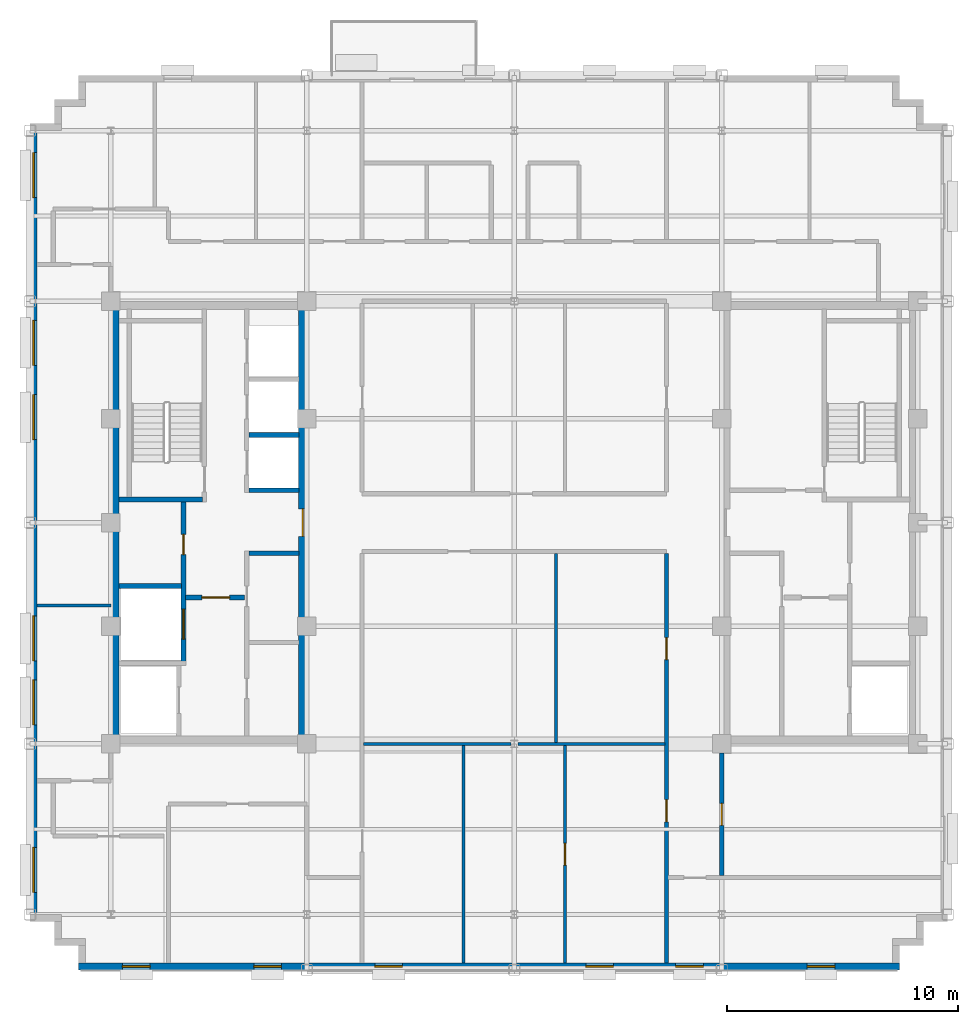
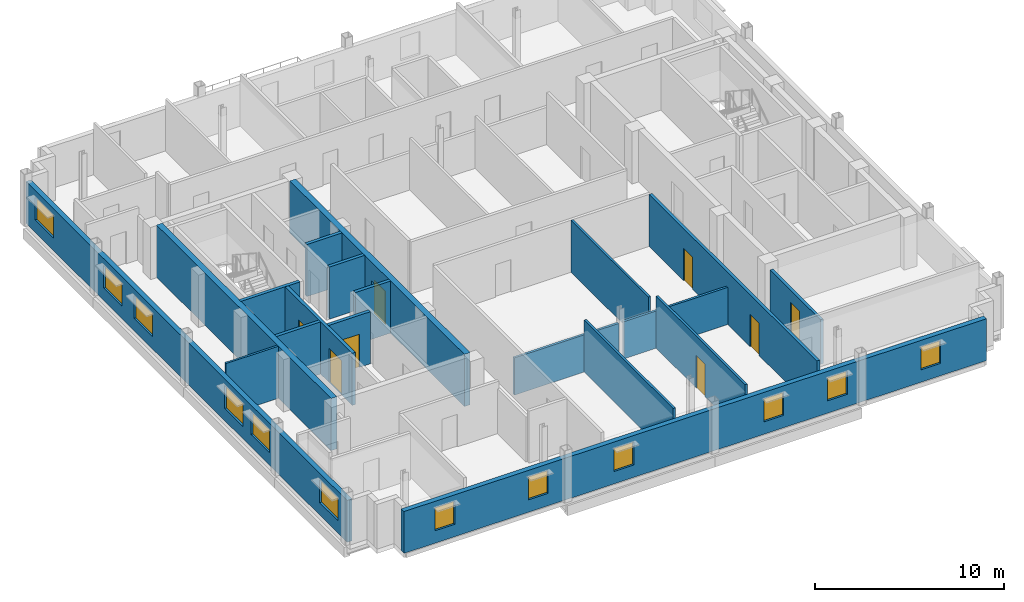
# One storey, part 6 of 14: 19 walls, 12 windows, 8 doors, 20 openings.
"""IFC4 building model written with IfcOpenShell, lengths in metres."""

from ifc_helpers import new_model, si_unit, direction, frame, frame_2d, origin, place, context, subcontext, project, spatial, rectangle, extrude, source, transform, mapped, material, layer, layer_set, type_object, type_shapes, element, fill, save


model = new_model("IFC4")

# Units and contexts
model_context = context("Model", 3, precision=1e-05, world=origin(), true_north=direction((0.0, 1.0)))
body_context = subcontext(model_context, "Body", "Model", "MODEL_VIEW")
ifc_project = project(units=[si_unit("LENGTHUNIT", "METRE"), si_unit("AREAUNIT", "SQUARE_METRE"), si_unit("VOLUMEUNIT", "CUBIC_METRE"), si_unit("PLANEANGLEUNIT", "RADIAN"), si_unit("MASSUNIT", "GRAM", prefix="KILO")], contexts=[model_context])

# Site, building, storey
site_placement = place(None, origin())
site = spatial("IfcSite", under=ifc_project, at=site_placement, CompositionType="ELEMENT")
building_placement = place(site_placement, origin())
building = spatial("IfcBuilding", under=site, at=building_placement, Name="Nuvemarco Arch Tower", CompositionType="ELEMENT")
storey_placement = place(building_placement, frame((0.0, 0.0, 272.550048828125)))
storey = spatial("IfcBuildingStorey", under=building, at=storey_placement, Name="L72", CompositionType="ELEMENT", Elevation=272.550048828125)

# Wall, openings, windows
ifc_material_1 = material(Name="Precast concrete C45/55", Category="concrete")
ifc_layer_1 = layer(ifc_material_1, 0.300048828125, Name="EW-HIGH-300")
ifc_layer_set_1 = layer_set([ifc_layer_1], Name="Precast concrete C45/55")
wall_type_1 = type_object("IfcWallType", Name="EW-HIGH-300", PredefinedType="STANDARD", material=ifc_layer_set_1)
wall_1_placement = place(storey_placement, frame((-18.89990234375, -19.25, 0.0), z_axis=(0.0, 0.0, 1.0), x_axis=(1.0, 0.0, 0.0)))
wall_1 = element("IfcWall", 1, at=wall_1_placement, inside=storey, type_object=wall_type_1, Name="L72 exterior precast facade wall 1", PredefinedType="STANDARD", context=body_context, shape_type="SweptSolid", body=[
    extrude(rectangle(XDim=35.599853515625, YDim=0.300048828125, at=frame_2d((17.7998046875, 0.0))), origin(), (0.0, 0.0, 1.0), 2.704833984375),
])
opening_1_placement = place(wall_1_placement, frame((1.89990234375, 0.0, 0.800048828125)))
opening_1 = element("IfcOpeningElement", 2, at=opening_1_placement, cuts=wall_1, Name="Opening WN-8", PredefinedType="OPENING", context=body_context, shape_type="SweptSolid", body=[
    extrude(rectangle(XDim=1.199951171875, YDim=1.47998046875, at=frame_2d((0.60009765625, 0.739990234375))), frame((0.0, 0.159912109375, 0.0), z_axis=(0.0, -1.0, 0.0), x_axis=(1.0, 0.0, 0.0)), (0.0, 0.0, 1.0), 0.320068359375),
])
opening_2_placement = place(wall_1_placement, frame((7.60009765625, 0.0, 0.800048828125)))
opening_2 = element("IfcOpeningElement", 3, at=opening_2_placement, cuts=wall_1, Name="Opening WN-8", PredefinedType="OPENING", context=body_context, shape_type="SweptSolid", body=[
    extrude(rectangle(XDim=1.199951171875, YDim=1.47998046875, at=frame_2d((0.60009765625, 0.739990234375))), frame((0.0, 0.159912109375, 0.0), z_axis=(0.0, -1.0, 0.0), x_axis=(1.0, 0.0, 0.0)), (0.0, 0.0, 1.0), 0.320068359375),
])
opening_3_placement = place(wall_1_placement, frame((12.85009765625, 0.0, 0.800048828125)))
opening_3 = element("IfcOpeningElement", 4, at=opening_3_placement, cuts=wall_1, Name="Opening WN-8", PredefinedType="OPENING", context=body_context, shape_type="SweptSolid", body=[
    extrude(rectangle(XDim=1.199951171875, YDim=1.47998046875, at=frame_2d((0.60009765625, 0.739990234375))), frame((0.0, 0.159912109375, 0.0), z_axis=(0.0, -1.0, 0.0), x_axis=(1.0, 0.0, 0.0)), (0.0, 0.0, 1.0), 0.320068359375),
])
opening_4_placement = place(wall_1_placement, frame((22.0, 0.0, 0.800048828125)))
opening_4 = element("IfcOpeningElement", 5, at=opening_4_placement, cuts=wall_1, Name="Opening WN-8", PredefinedType="OPENING", context=body_context, shape_type="SweptSolid", body=[
    extrude(rectangle(XDim=1.199951171875, YDim=1.47998046875, at=frame_2d((0.60009765625, 0.739990234375))), frame((0.0, 0.159912109375, 0.0), z_axis=(0.0, -1.0, 0.0), x_axis=(1.0, 0.0, 0.0)), (0.0, 0.0, 1.0), 0.320068359375),
])
opening_5_placement = place(wall_1_placement, frame((25.89990234375, 0.0, 0.800048828125)))
opening_5 = element("IfcOpeningElement", 6, at=opening_5_placement, cuts=wall_1, Name="Opening WN-8", PredefinedType="OPENING", context=body_context, shape_type="SweptSolid", body=[
    extrude(rectangle(XDim=1.199951171875, YDim=1.47998046875, at=frame_2d((0.60009765625, 0.739990234375))), frame((0.0, 0.159912109375, 0.0), z_axis=(0.0, -1.0, 0.0), x_axis=(1.0, 0.0, 0.0)), (0.0, 0.0, 1.0), 0.320068359375),
])
opening_6_placement = place(wall_1_placement, frame((31.60009765625, 0.0, 0.800048828125)))
opening_6 = element("IfcOpeningElement", 7, at=opening_6_placement, cuts=wall_1, Name="Opening WN-8", PredefinedType="OPENING", context=body_context, shape_type="SweptSolid", body=[
    extrude(rectangle(XDim=1.199951171875, YDim=1.47998046875, at=frame_2d((0.60009765625, 0.739990234375))), frame((0.0, 0.159912109375, 0.0), z_axis=(0.0, -1.0, 0.0), x_axis=(1.0, 0.0, 0.0)), (0.0, 0.0, 1.0), 0.320068359375),
])
ifc_material_2 = material(Name="Insulated solar-control glass", Category="glass")
window_type_1 = type_object("IfcWindowType", Name="WN-HIGH-1200x1480", PartitioningType="SINGLE_PANEL", PredefinedType="WINDOW", material=ifc_material_2)
shared_shape_1 = source(origin(), body_context, "Body", "SweptSolid", [
    extrude(rectangle(XDim=1.199951171875, YDim=1.47998046875, at=frame_2d((0.60009765625, 0.739990234375))), frame((0.0, 0.030029296875, 0.0), z_axis=(0.0, -1.0, 0.0), x_axis=(1.0, 0.0, 0.0)), (0.0, 0.0, 1.0), 0.06005859375),
])
type_shapes(window_type_1, [shared_shape_1])
window_1_placement = place(opening_1_placement, origin())
window_1 = element("IfcWindow", 8, at=window_1_placement, inside=storey, type_object=window_type_1, Name="L72 punched facade window 1", OverallHeight=1.47998046875, OverallWidth=1.199951171875, PartitioningType="SINGLE_PANEL", PredefinedType="WINDOW", context=body_context, shape_type="MappedRepresentation", body=[
    mapped(shared_shape_1, transform((0.0, 0.0, 0.0), scale=1.0)),
])
fill(opening_1, window_1)
window_2_placement = place(opening_2_placement, origin())
window_2 = element("IfcWindow", 9, at=window_2_placement, inside=storey, type_object=window_type_1, Name="L72 punched facade window 2", OverallHeight=1.47998046875, OverallWidth=1.199951171875, PartitioningType="SINGLE_PANEL", PredefinedType="WINDOW", context=body_context, shape_type="MappedRepresentation", body=[
    mapped(shared_shape_1, transform((0.0, 0.0, 0.0), scale=1.0)),
])
fill(opening_2, window_2)
window_3_placement = place(opening_3_placement, origin())
window_3 = element("IfcWindow", 10, at=window_3_placement, inside=storey, type_object=window_type_1, Name="L72 punched facade window 3", OverallHeight=1.47998046875, OverallWidth=1.199951171875, PartitioningType="SINGLE_PANEL", PredefinedType="WINDOW", context=body_context, shape_type="MappedRepresentation", body=[
    mapped(shared_shape_1, transform((0.0, 0.0, 0.0), scale=1.0)),
])
fill(opening_3, window_3)
window_4_placement = place(opening_4_placement, origin())
window_4 = element("IfcWindow", 11, at=window_4_placement, inside=storey, type_object=window_type_1, Name="L72 punched facade window 5", OverallHeight=1.47998046875, OverallWidth=1.199951171875, PartitioningType="SINGLE_PANEL", PredefinedType="WINDOW", context=body_context, shape_type="MappedRepresentation", body=[
    mapped(shared_shape_1, transform((0.0, 0.0, 0.0), scale=1.0)),
])
fill(opening_4, window_4)
window_5_placement = place(opening_5_placement, origin())
window_5 = element("IfcWindow", 12, at=window_5_placement, inside=storey, type_object=window_type_1, Name="L72 punched facade window 6", OverallHeight=1.47998046875, OverallWidth=1.199951171875, PartitioningType="SINGLE_PANEL", PredefinedType="WINDOW", context=body_context, shape_type="MappedRepresentation", body=[
    mapped(shared_shape_1, transform((0.0, 0.0, 0.0), scale=1.0)),
])
fill(opening_5, window_5)
window_6_placement = place(opening_6_placement, origin())
window_6 = element("IfcWindow", 13, at=window_6_placement, inside=storey, type_object=window_type_1, Name="L72 punched facade window 7", OverallHeight=1.47998046875, OverallWidth=1.199951171875, PartitioningType="SINGLE_PANEL", PredefinedType="WINDOW", context=body_context, shape_type="MappedRepresentation", body=[
    mapped(shared_shape_1, transform((0.0, 0.0, 0.0), scale=1.0)),
])
fill(opening_6, window_6)

wall_2_placement = place(storey_placement, frame((-20.85009765625, -17.00390625, 0.0), z_axis=(0.0, 0.0, 1.0), x_axis=(0.0, 1.0, 0.0)))
wall_2 = element("IfcWall", 14, at=wall_2_placement, inside=storey, type_object=wall_type_1, Name="L72 exterior precast facade wall 16", PredefinedType="STANDARD", context=body_context, shape_type="SweptSolid", body=[
    extrude(rectangle(XDim=34.0078125, YDim=0.300048828125, at=frame_2d((17.00390625, 0.0))), origin(), (0.0, 0.0, 1.0), 2.704833984375),
])
opening_7_placement = place(wall_2_placement, frame((0.961181640625, 0.0, 0.800048828125)))
opening_7 = element("IfcOpeningElement", 15, at=opening_7_placement, cuts=wall_2, Name="Opening WN-7", PredefinedType="OPENING", context=body_context, shape_type="SweptSolid", body=[
    extrude(rectangle(XDim=1.949951171875, YDim=1.47998046875, at=frame_2d((0.97509765625, 0.739990234375))), frame((0.0, 0.159912109375, 0.0), z_axis=(0.0, -1.0, 0.0), x_axis=(1.0, 0.0, 0.0)), (0.0, 0.0, 1.0), 0.320068359375),
])
opening_8_placement = place(wall_2_placement, frame((8.23388671875, 0.0, 0.800048828125)))
opening_8 = element("IfcOpeningElement", 16, at=opening_8_placement, cuts=wall_2, Name="Opening WN-7", PredefinedType="OPENING", context=body_context, shape_type="SweptSolid", body=[
    extrude(rectangle(XDim=1.949951171875, YDim=1.47998046875, at=frame_2d((0.97509765625, 0.739990234375))), frame((0.0, 0.159912109375, 0.0), z_axis=(0.0, -1.0, 0.0), x_axis=(1.0, 0.0, 0.0)), (0.0, 0.0, 1.0), 0.320068359375),
])
opening_9_placement = place(wall_2_placement, frame((11.00634765625, 0.0, 0.800048828125)))
opening_9 = element("IfcOpeningElement", 17, at=opening_9_placement, cuts=wall_2, Name="Opening WN-7", PredefinedType="OPENING", context=body_context, shape_type="SweptSolid", body=[
    extrude(rectangle(XDim=1.949951171875, YDim=1.47998046875, at=frame_2d((0.97509765625, 0.739990234375))), frame((0.0, 0.159912109375, 0.0), z_axis=(0.0, -1.0, 0.0), x_axis=(1.0, 0.0, 0.0)), (0.0, 0.0, 1.0), 0.320068359375),
])
opening_10_placement = place(wall_2_placement, frame((20.6015625, 0.0, 0.800048828125)))
opening_10 = element("IfcOpeningElement", 18, at=opening_10_placement, cuts=wall_2, Name="Opening WN-7", PredefinedType="OPENING", context=body_context, shape_type="SweptSolid", body=[
    extrude(rectangle(XDim=1.949951171875, YDim=1.47998046875, at=frame_2d((0.97509765625, 0.739990234375))), frame((0.0, 0.159912109375, 0.0), z_axis=(0.0, -1.0, 0.0), x_axis=(1.0, 0.0, 0.0)), (0.0, 0.0, 1.0), 0.320068359375),
])
opening_11_placement = place(wall_2_placement, frame((23.82421875, 0.0, 0.800048828125)))
opening_11 = element("IfcOpeningElement", 19, at=opening_11_placement, cuts=wall_2, Name="Opening WN-7", PredefinedType="OPENING", context=body_context, shape_type="SweptSolid", body=[
    extrude(rectangle(XDim=1.949951171875, YDim=1.47998046875, at=frame_2d((0.97509765625, 0.739990234375))), frame((0.0, 0.159912109375, 0.0), z_axis=(0.0, -1.0, 0.0), x_axis=(1.0, 0.0, 0.0)), (0.0, 0.0, 1.0), 0.320068359375),
])
opening_12_placement = place(wall_2_placement, frame((31.0966796875, 0.0, 0.800048828125)))
opening_12 = element("IfcOpeningElement", 20, at=opening_12_placement, cuts=wall_2, Name="Opening WN-7", PredefinedType="OPENING", context=body_context, shape_type="SweptSolid", body=[
    extrude(rectangle(XDim=1.949951171875, YDim=1.47998046875, at=frame_2d((0.97509765625, 0.739990234375))), frame((0.0, 0.159912109375, 0.0), z_axis=(0.0, -1.0, 0.0), x_axis=(1.0, 0.0, 0.0)), (0.0, 0.0, 1.0), 0.320068359375),
])
window_type_2 = type_object("IfcWindowType", Name="WN-HIGH-1950x1480", PartitioningType="DOUBLE_PANEL_VERTICAL", PredefinedType="WINDOW", material=ifc_material_2)
shared_shape_2 = source(origin(), body_context, "Body", "SweptSolid", [
    extrude(rectangle(XDim=1.949951171875, YDim=1.47998046875, at=frame_2d((0.97509765625, 0.739990234375))), frame((0.0, 0.030029296875, 0.0), z_axis=(0.0, -1.0, 0.0), x_axis=(1.0, 0.0, 0.0)), (0.0, 0.0, 1.0), 0.06005859375),
])
type_shapes(window_type_2, [shared_shape_2])
window_7_placement = place(opening_7_placement, origin())
window_7 = element("IfcWindow", 21, at=window_7_placement, inside=storey, type_object=window_type_2, Name="L72 punched facade window 1", OverallHeight=1.47998046875, OverallWidth=1.949951171875, PartitioningType="SINGLE_PANEL", PredefinedType="WINDOW", context=body_context, shape_type="MappedRepresentation", body=[
    mapped(shared_shape_2, transform((0.0, 0.0, 0.0), scale=1.0)),
])
fill(opening_7, window_7)
window_8_placement = place(opening_8_placement, origin())
window_8 = element("IfcWindow", 22, at=window_8_placement, inside=storey, type_object=window_type_2, Name="L72 punched facade window 2", OverallHeight=1.47998046875, OverallWidth=1.949951171875, PartitioningType="SINGLE_PANEL", PredefinedType="WINDOW", context=body_context, shape_type="MappedRepresentation", body=[
    mapped(shared_shape_2, transform((0.0, 0.0, 0.0), scale=1.0)),
])
fill(opening_8, window_8)
window_9_placement = place(opening_9_placement, origin())
window_9 = element("IfcWindow", 23, at=window_9_placement, inside=storey, type_object=window_type_2, Name="L72 punched facade window 3", OverallHeight=1.47998046875, OverallWidth=1.949951171875, PartitioningType="SINGLE_PANEL", PredefinedType="WINDOW", context=body_context, shape_type="MappedRepresentation", body=[
    mapped(shared_shape_2, transform((0.0, 0.0, 0.0), scale=1.0)),
])
fill(opening_9, window_9)
window_10_placement = place(opening_10_placement, origin())
window_10 = element("IfcWindow", 24, at=window_10_placement, inside=storey, type_object=window_type_2, Name="L72 punched facade window 5", OverallHeight=1.47998046875, OverallWidth=1.949951171875, PartitioningType="SINGLE_PANEL", PredefinedType="WINDOW", context=body_context, shape_type="MappedRepresentation", body=[
    mapped(shared_shape_2, transform((0.0, 0.0, 0.0), scale=1.0)),
])
fill(opening_10, window_10)
window_11_placement = place(opening_11_placement, origin())
window_11 = element("IfcWindow", 25, at=window_11_placement, inside=storey, type_object=window_type_2, Name="L72 punched facade window 6", OverallHeight=1.47998046875, OverallWidth=1.949951171875, PartitioningType="SINGLE_PANEL", PredefinedType="WINDOW", context=body_context, shape_type="MappedRepresentation", body=[
    mapped(shared_shape_2, transform((0.0, 0.0, 0.0), scale=1.0)),
])
fill(opening_11, window_11)
window_12_placement = place(opening_12_placement, origin())
window_12 = element("IfcWindow", 26, at=window_12_placement, inside=storey, type_object=window_type_2, Name="L72 punched facade window 7", OverallHeight=1.47998046875, OverallWidth=1.949951171875, PartitioningType="SINGLE_PANEL", PredefinedType="WINDOW", context=body_context, shape_type="MappedRepresentation", body=[
    mapped(shared_shape_2, transform((0.0, 0.0, 0.0), scale=1.0)),
])
fill(opening_12, window_12)

# Wall
ifc_material_3 = material(Name="Concrete C50/60", Category="concrete")
ifc_layer_2 = layer(ifc_material_3, 0.35009765625, Name="WL-CORE-350")
ifc_layer_set_2 = layer_set([ifc_layer_2], Name="Concrete C50/60")
wall_type_2 = type_object("IfcWallType", Name="WL-CORE-350", PredefinedType="SHEAR", material=ifc_layer_set_2)
wall_3_placement = place(storey_placement, frame((-17.324951171875, -9.2548828125, 0.0), z_axis=(0.0, 0.0, 1.0), x_axis=(0.0, 1.0, 0.0)))
element("IfcWall", 27, at=wall_3_placement, inside=storey, type_object=wall_type_2, Name="L72 W-core shear wall W", PredefinedType="SHEAR", context=body_context, shape_type="SweptSolid", body=[
    extrude(rectangle(XDim=18.509765625, YDim=0.35009765625, at=frame_2d((9.2548828125, 0.0))), origin(), (0.0, 0.0, 1.0), 3.369873046875),
])

# Wall, opening, door
wall_4_placement = place(storey_placement, frame((-9.175048828125, -9.2548828125, 0.0), z_axis=(0.0, 0.0, 1.0), x_axis=(0.0, 1.0, 0.0)))
wall_4 = element("IfcWall", 28, at=wall_4_placement, inside=storey, type_object=wall_type_2, Name="L72 W-core shear wall E", PredefinedType="SHEAR", context=body_context, shape_type="SweptSolid", body=[
    extrude(rectangle(XDim=18.509765625, YDim=0.35009765625, at=frame_2d((9.2548828125, 0.0))), origin(), (0.0, 0.0, 1.0), 3.369873046875),
])
opening_13_placement = place(wall_4_placement, frame((8.655029296875, 0.0, 0.0)))
opening_13 = element("IfcOpeningElement", 29, at=opening_13_placement, cuts=wall_4, Name="Opening FD-2", PredefinedType="OPENING", context=body_context, shape_type="SweptSolid", body=[
    extrude(rectangle(XDim=1.199951171875, YDim=2.14990234375, at=frame_2d((0.60009765625, 1.074951171875))), frame((0.0, 0.18505859375, 0.0), z_axis=(0.0, -1.0, 0.0), x_axis=(1.0, 0.0, 0.0)), (0.0, 0.0, 1.0), 0.3701171875),
])
ifc_material_4 = material(Name="Anodised steel fire door", Category="steel")
door_type_1 = type_object("IfcDoorType", Name="DR-FFLOB-FD", OperationType="NOTDEFINED", PredefinedType="DOOR", material=ifc_material_4)
shared_shape_3 = source(origin(), body_context, "Body", "SweptSolid", [
    extrude(rectangle(XDim=1.199951171875, YDim=2.14990234375, at=frame_2d((0.60009765625, 1.074951171875))), frame((0.0, 0.02490234375, 0.0), z_axis=(0.0, -1.0, 0.0), x_axis=(1.0, 0.0, 0.0)), (0.0, 0.0, 1.0), 0.050048828125),
])
type_shapes(door_type_1, [shared_shape_3])
door_1_placement = place(opening_13_placement, origin())
door_1 = element("IfcDoor", 30, at=door_1_placement, inside=storey, type_object=door_type_1, Name="L72 door FD-L72-WCORE-E", OperationType="SINGLE_SWING_RIGHT", OverallHeight=2.14990234375, OverallWidth=1.199951171875, PredefinedType="DOOR", context=body_context, shape_type="MappedRepresentation", body=[
    mapped(shared_shape_3, transform((0.0, 0.0, 0.0), scale=1.0)),
])
fill(opening_13, door_1)

# Wall, openings, doors
ifc_material_5 = material(Name="Fire-rated gypsum drywall partition")
ifc_layer_3 = layer(ifc_material_5, 0.179931640625, Name="WL-CORR-180")
ifc_layer_set_3 = layer_set([ifc_layer_3], Name="Fire-rated gypsum drywall partition")
wall_type_3 = type_object("IfcWallType", Name="WL-CORR-180", PredefinedType="PARTITIONING", material=ifc_layer_set_3)
wall_5_placement = place(storey_placement, frame((6.60009765625, -19.10009765625, 0.0), z_axis=(0.0, 0.0, 1.0), x_axis=(0.0, 1.0, 0.0)))
wall_5 = element("IfcWall", 31, at=wall_5_placement, inside=storey, type_object=wall_type_3, Name="L72 interior wall IW-L72-039", PredefinedType="PARTITIONING", context=body_context, shape_type="SweptSolid", body=[
    extrude(rectangle(XDim=17.76416015625, YDim=0.179931640625, at=frame_2d((8.882080078125, 0.0))), origin(), (0.0, 0.0, 1.0), 3.35986328125),
])
opening_14_placement = place(wall_5_placement, frame((13.152099609375, 0.0, 0.0)))
opening_14 = element("IfcOpeningElement", 32, at=opening_14_placement, cuts=wall_5, Name="Opening FD-5", PredefinedType="OPENING", context=body_context, shape_type="SweptSolid", body=[
    extrude(rectangle(XDim=0.9599609375, YDim=2.10009765625, at=frame_2d((0.47998046875, 1.050048828125))), frame((0.0, 0.099853515625, 0.0), z_axis=(0.0, -1.0, 0.0), x_axis=(1.0, 0.0, 0.0)), (0.0, 0.0, 1.0), 0.199951171875),
])
opening_15_placement = place(wall_5_placement, frame((6.1201171875, 0.0, 0.0)))
opening_15 = element("IfcOpeningElement", 33, at=opening_15_placement, cuts=wall_5, Name="Opening FD-5", PredefinedType="OPENING", context=body_context, shape_type="SweptSolid", body=[
    extrude(rectangle(XDim=0.9599609375, YDim=2.10009765625, at=frame_2d((0.47998046875, 1.050048828125))), frame((0.0, 0.099853515625, 0.0), z_axis=(0.0, -1.0, 0.0), x_axis=(1.0, 0.0, 0.0)), (0.0, 0.0, 1.0), 0.199951171875),
])
ifc_material_6 = material(Name="Timber fire door", Category="wood")
door_type_2 = type_object("IfcDoorType", Name="DR-CORR-FD", OperationType="NOTDEFINED", PredefinedType="DOOR", material=ifc_material_6)
shared_shape_4 = source(origin(), body_context, "Body", "SweptSolid", [
    extrude(rectangle(XDim=0.9599609375, YDim=2.10009765625, at=frame_2d((0.47998046875, 1.050048828125))), frame((0.0, 0.02490234375, 0.0), z_axis=(0.0, -1.0, 0.0), x_axis=(1.0, 0.0, 0.0)), (0.0, 0.0, 1.0), 0.050048828125),
])
type_shapes(door_type_2, [shared_shape_4])
door_2_placement = place(opening_14_placement, origin())
door_2 = element("IfcDoor", 34, at=door_2_placement, inside=storey, type_object=door_type_2, Name="L72 door DR-L72-C_S2", OperationType="SINGLE_SWING_RIGHT", OverallHeight=2.10009765625, OverallWidth=0.9599609375, PredefinedType="DOOR", context=body_context, shape_type="MappedRepresentation", body=[
    mapped(shared_shape_4, transform((0.0, 0.0, 0.0), scale=1.0)),
])
fill(opening_14, door_2)
door_3_placement = place(opening_15_placement, origin())
door_3 = element("IfcDoor", 35, at=door_3_placement, inside=storey, type_object=door_type_2, Name="L72 door DR-L72-S_5", OperationType="SINGLE_SWING_RIGHT", OverallHeight=2.10009765625, OverallWidth=0.9599609375, PredefinedType="DOOR", context=body_context, shape_type="MappedRepresentation", body=[
    mapped(shared_shape_4, transform((0.0, 0.0, 0.0), scale=1.0)),
])
fill(opening_15, door_3)

# Wall, opening, door
wall_6_placement = place(storey_placement, frame((9.0, -15.31396484375, 0.0), z_axis=(0.0, 0.0, 1.0), x_axis=(0.0, 1.0, 0.0)))
wall_6 = element("IfcWall", 36, at=wall_6_placement, inside=storey, type_object=wall_type_3, Name="L72 interior wall IW-L72-042", PredefinedType="PARTITIONING", context=body_context, shape_type="SweptSolid", body=[
    extrude(rectangle(XDim=5.31787109375, YDim=0.179931640625, at=frame_2d((2.658935546875, 0.0))), origin(), (0.0, 0.0, 1.0), 2.891845703125),
])
opening_16_placement = place(wall_6_placement, frame((2.178955078125, 0.0, 0.0)))
opening_16 = element("IfcOpeningElement", 37, at=opening_16_placement, cuts=wall_6, Name="Opening FD-5", PredefinedType="OPENING", context=body_context, shape_type="SweptSolid", body=[
    extrude(rectangle(XDim=0.9599609375, YDim=2.10009765625, at=frame_2d((0.47998046875, 1.050048828125))), frame((0.0, 0.099853515625, 0.0), z_axis=(0.0, -1.0, 0.0), x_axis=(1.0, 0.0, 0.0)), (0.0, 0.0, 1.0), 0.199951171875),
])
door_4_placement = place(opening_16_placement, origin())
door_4 = element("IfcDoor", 38, at=door_4_placement, inside=storey, type_object=door_type_2, Name="L72 door DR-L72-S_6", OperationType="SINGLE_SWING_LEFT", OverallHeight=2.10009765625, OverallWidth=0.9599609375, PredefinedType="DOOR", context=body_context, shape_type="MappedRepresentation", body=[
    mapped(shared_shape_4, transform((0.0, 0.0, 0.0), scale=1.0)),
])
fill(opening_16, door_4)

# Walls
ifc_material_7 = material(Name="Glazed acoustic office partition")
ifc_layer_4 = layer(ifc_material_7, 0.1298828125, Name="WL-EXEC-130")
ifc_layer_set_4 = layer_set([ifc_layer_4], Name="Glazed acoustic office partition")
wall_type_4 = type_object("IfcWallType", Name="WL-EXEC-130", PredefinedType="PARTITIONING", material=ifc_layer_set_4)
wall_7_placement = place(storey_placement, frame((-20.699951171875, -3.60009765625, 0.0), z_axis=(0.0, 0.0, 1.0), x_axis=(1.0, 0.0, 0.0)))
element("IfcWall", 39, at=wall_7_placement, inside=storey, type_object=wall_type_4, Name="L72 interior wall IW-L72-008", PredefinedType="PARTITIONING", context=body_context, shape_type="SweptSolid", body=[
    extrude(rectangle(XDim=3.199951171875, YDim=0.1298828125, at=frame_2d((1.60009765625, 0.0))), origin(), (0.0, 0.0, 1.0), 3.35986328125),
])
wall_8_placement = place(storey_placement, frame((1.800048828125, -9.533935546875, 0.0), z_axis=(0.0, 0.0, 1.0), x_axis=(0.0, 1.0, 0.0)))
element("IfcWall", 40, at=wall_8_placement, inside=storey, type_object=wall_type_4, Name="L72 interior wall IW-L72-035", PredefinedType="PARTITIONING", context=body_context, shape_type="SweptSolid", body=[
    extrude(rectangle(XDim=8.197998046875, YDim=0.1298828125, at=frame_2d((4.09912109375, 0.0))), origin(), (0.0, 0.0, 1.0), 3.35986328125),
])
ifc_material_8 = material(Name="Gypsum plasterboard partition")
ifc_layer_5 = layer(ifc_material_8, 0.139892578125, Name="WL-ROOM-140")
ifc_layer_set_5 = layer_set([ifc_layer_5], Name="Gypsum plasterboard partition")
wall_type_5 = type_object("IfcWallType", Name="WL-ROOM-140", PredefinedType="PARTITIONING", material=ifc_layer_set_5)
wall_9_placement = place(storey_placement, frame((-6.533935546875, -9.60009765625, 0.0), z_axis=(0.0, 0.0, 1.0), x_axis=(1.0, 0.0, 0.0)))
element("IfcWall", 41, at=wall_9_placement, inside=storey, type_object=wall_type_5, Name="L72 interior wall IW-L72-006", PredefinedType="PARTITIONING", context=body_context, shape_type="SweptSolid", body=[
    extrude(rectangle(XDim=6.383056640625, YDim=0.139892578125, at=frame_2d((3.19140625, 0.0))), origin(), (0.0, 0.0, 1.0), 2.405029296875),
])
wall_10_placement = place(storey_placement, frame((0.15087890625, -9.60009765625, 0.0), z_axis=(0.0, 0.0, 1.0), x_axis=(1.0, 0.0, 0.0)))
element("IfcWall", 42, at=wall_10_placement, inside=storey, type_object=wall_type_5, Name="L72 interior wall IW-L72-007", PredefinedType="PARTITIONING", context=body_context, shape_type="SweptSolid", body=[
    extrude(rectangle(XDim=6.38818359375, YDim=0.139892578125, at=frame_2d((3.194091796875, 0.0))), origin(), (0.0, 0.0, 1.0), 2.405029296875),
])
wall_11_placement = place(storey_placement, frame((-2.199951171875, -19.10009765625, 0.0), z_axis=(0.0, 0.0, 1.0), x_axis=(0.0, 1.0, 0.0)))
element("IfcWall", 43, at=wall_11_placement, inside=storey, type_object=wall_type_5, Name="L72 interior wall IW-L72-031", PredefinedType="PARTITIONING", context=body_context, shape_type="SweptSolid", body=[
    extrude(rectangle(XDim=9.43408203125, YDim=0.139892578125, at=frame_2d((4.717041015625, 0.0))), origin(), (0.0, 0.0, 1.0), 3.35986328125),
])

# Wall, opening, door
wall_12_placement = place(storey_placement, frame((2.199951171875, -19.10009765625, 0.0), z_axis=(0.0, 0.0, 1.0), x_axis=(0.0, 1.0, 0.0)))
wall_12 = element("IfcWall", 44, at=wall_12_placement, inside=storey, type_object=wall_type_5, Name="L72 interior wall IW-L72-036", PredefinedType="PARTITIONING", context=body_context, shape_type="SweptSolid", body=[
    extrude(rectangle(XDim=9.43408203125, YDim=0.139892578125, at=frame_2d((4.717041015625, 0.0))), origin(), (0.0, 0.0, 1.0), 3.35986328125),
])
opening_17_placement = place(wall_12_placement, frame((4.2470703125, 0.0, 0.0)))
opening_17 = element("IfcOpeningElement", 45, at=opening_17_placement, cuts=wall_12, Name="Opening ID-1", PredefinedType="OPENING", context=body_context, shape_type="SweptSolid", body=[
    extrude(rectangle(XDim=0.93994140625, YDim=2.10009765625, at=frame_2d((0.469970703125, 1.050048828125))), frame((0.0, 0.079833984375, 0.0), z_axis=(0.0, -1.0, 0.0), x_axis=(1.0, 0.0, 0.0)), (0.0, 0.0, 1.0), 0.159912109375),
])
ifc_material_9 = material(Name="Veneered oak timber door", Category="wood")
door_type_3 = type_object("IfcDoorType", Name="DR-OFFICE-1", OperationType="NOTDEFINED", PredefinedType="DOOR", material=ifc_material_9)
shared_shape_5 = source(origin(), body_context, "Body", "SweptSolid", [
    extrude(rectangle(XDim=0.93994140625, YDim=2.10009765625, at=frame_2d((0.469970703125, 1.050048828125))), frame((0.0, 0.02490234375, 0.0), z_axis=(0.0, -1.0, 0.0), x_axis=(1.0, 0.0, 0.0)), (0.0, 0.0, 1.0), 0.050048828125),
])
type_shapes(door_type_3, [shared_shape_5])
door_5_placement = place(opening_17_placement, origin())
door_5 = element("IfcDoor", 46, at=door_5_placement, inside=storey, type_object=door_type_3, Name="L72 door DR-L72-S_4", OperationType="SINGLE_SWING_LEFT", OverallHeight=2.10009765625, OverallWidth=0.93994140625, PredefinedType="DOOR", context=body_context, shape_type="MappedRepresentation", body=[
    mapped(shared_shape_5, transform((0.0, 0.0, 0.0), scale=1.0)),
])
fill(opening_17, door_5)

# Wall
ifc_layer_6 = layer(ifc_material_3, 0.199951171875, Name="WL-SHAFT-220")
ifc_layer_set_6 = layer_set([ifc_layer_6], Name="Concrete C50/60")
wall_type_6 = type_object("IfcWallType", Name="WL-SHAFT-220", PredefinedType="SHEAR", material=ifc_layer_set_6)
wall_13_placement = place(storey_placement, frame((-17.155029296875, 1.0, 0.0), z_axis=(0.0, 0.0, 1.0), x_axis=(1.0, 0.0, 0.0)))
element("IfcWall", 47, at=wall_13_placement, inside=storey, type_object=wall_type_6, Name="L72 structural shaft wall SW-L72-W-ST1S", PredefinedType="SHEAR", context=body_context, shape_type="SweptSolid", body=[
    extrude(rectangle(XDim=3.6201171875, YDim=0.199951171875, at=frame_2d((1.81005859375, 0.0))), origin(), (0.0, 0.0, 1.0), 3.369873046875),
])

# Wall, openings, doors
wall_14_placement = place(storey_placement, frame((-14.35009765625, -6.199951171875, 0.0), z_axis=(0.0, 0.0, 1.0), x_axis=(0.0, 1.0, 0.0)))
wall_14 = element("IfcWall", 48, at=wall_14_placement, inside=storey, type_object=wall_type_6, Name="L72 structural shaft wall SW-L72-W-SVE", PredefinedType="SHEAR", context=body_context, shape_type="SweptSolid", body=[
    extrude(rectangle(XDim=7.10498046875, YDim=0.199951171875, at=frame_2d((3.552490234375, 0.0))), origin(), (0.0, 0.0, 1.0), 3.369873046875),
])
opening_18_placement = place(wall_14_placement, frame((5.68994140625, 0.0, 0.0), z_axis=(0.0, 0.0, 1.0), x_axis=(-1.0, 0.0, 0.0)))
opening_18 = element("IfcOpeningElement", 49, at=opening_18_placement, cuts=wall_14, Name="Opening FD-4", PredefinedType="OPENING", context=body_context, shape_type="SweptSolid", body=[
    extrude(rectangle(XDim=0.8798828125, YDim=2.10009765625, at=frame_2d((0.43994140625, 1.050048828125))), frame((0.0, 0.10986328125, 0.0), z_axis=(0.0, -1.0, 0.0), x_axis=(1.0, 0.0, 0.0)), (0.0, 0.0, 1.0), 0.219970703125),
])
opening_19_placement = place(wall_14_placement, frame((1.14990234375, 0.0, 0.0)))
opening_19 = element("IfcOpeningElement", 50, at=opening_19_placement, cuts=wall_14, Name="Opening LD-3", PredefinedType="OPENING", context=body_context, shape_type="SweptSolid", body=[
    extrude(rectangle(XDim=1.300048828125, YDim=2.199951171875, at=frame_2d((0.64990234375, 1.10009765625))), frame((0.0, 0.10986328125, 0.0), z_axis=(0.0, -1.0, 0.0), x_axis=(1.0, 0.0, 0.0)), (0.0, 0.0, 1.0), 0.219970703125),
])
door_type_4 = type_object("IfcDoorType", Name="DR-RISER-FD", OperationType="NOTDEFINED", PredefinedType="DOOR", material=ifc_material_4)
shared_shape_6 = source(origin(), body_context, "Body", "SweptSolid", [
    extrude(rectangle(XDim=0.8798828125, YDim=2.10009765625, at=frame_2d((0.43994140625, 1.050048828125))), frame((0.0, 0.02490234375, 0.0), z_axis=(0.0, -1.0, 0.0), x_axis=(1.0, 0.0, 0.0)), (0.0, 0.0, 1.0), 0.050048828125),
])
type_shapes(door_type_4, [shared_shape_6])
door_6_placement = place(opening_18_placement, origin())
door_6 = element("IfcDoor", 51, at=door_6_placement, inside=storey, type_object=door_type_4, Name="L72 door FD-L72-WRIS", OperationType="SINGLE_SWING_LEFT", OverallHeight=2.10009765625, OverallWidth=0.8798828125, PredefinedType="DOOR", context=body_context, shape_type="MappedRepresentation", body=[
    mapped(shared_shape_6, transform((0.0, 0.0, 0.0), scale=1.0)),
])
fill(opening_18, door_6)
ifc_material_10 = material(Name="Stainless steel lift door", Category="steel")
door_type_5 = type_object("IfcDoorType", Name="DR-LIFT-SERV", OperationType="DOUBLE_DOOR_SLIDING", PredefinedType="DOOR", material=ifc_material_10)
shared_shape_7 = source(origin(), body_context, "Body", "SweptSolid", [
    extrude(rectangle(XDim=1.300048828125, YDim=2.199951171875, at=frame_2d((0.64990234375, 1.10009765625))), frame((0.0, 0.02490234375, 0.0), z_axis=(0.0, -1.0, 0.0), x_axis=(1.0, 0.0, 0.0)), (0.0, 0.0, 1.0), 0.050048828125),
])
type_shapes(door_type_5, [shared_shape_7])
door_7_placement = place(opening_19_placement, origin())
door_7 = element("IfcDoor", 52, at=door_7_placement, inside=storey, type_object=door_type_5, Name="L72 Lift landing sliding door SVL-1", OperationType="DOUBLE_DOOR_SLIDING", OverallHeight=2.199951171875, OverallWidth=1.300048828125, PredefinedType="DOOR", context=body_context, shape_type="MappedRepresentation", body=[
    mapped(shared_shape_7, transform((0.0, 0.0, 0.0), scale=1.0)),
])
fill(opening_19, door_7)

# Wall
wall_15_placement = place(storey_placement, frame((-17.155029296875, -2.75, 0.0), z_axis=(0.0, 0.0, 1.0), x_axis=(1.0, 0.0, 0.0)))
element("IfcWall", 53, at=wall_15_placement, inside=storey, type_object=wall_type_6, Name="L72 structural shaft wall SW-L72-W-SH2", PredefinedType="SHEAR", context=body_context, shape_type="SweptSolid", body=[
    extrude(rectangle(XDim=2.7099609375, YDim=0.199951171875, at=frame_2d((1.35498046875, 0.0))), origin(), (0.0, 0.0, 1.0), 3.369873046875),
])

# Wall, opening, door
wall_16_placement = place(storey_placement, frame((-14.2548828125, -3.25, 0.0), z_axis=(0.0, 0.0, 1.0), x_axis=(1.0, 0.0, 0.0)))
wall_16 = element("IfcWall", 54, at=wall_16_placement, inside=storey, type_object=wall_type_6, Name="L72 structural shaft wall SW-L72-W-FFN", PredefinedType="SHEAR", context=body_context, shape_type="SweptSolid", body=[
    extrude(rectangle(XDim=2.559814453125, YDim=0.199951171875, at=frame_2d((1.27978515625, 0.0))), origin(), (0.0, 0.0, 1.0), 3.369873046875),
])
opening_20_placement = place(wall_16_placement, frame((0.705078125, 0.0, 0.0)))
opening_20 = element("IfcOpeningElement", 55, at=opening_20_placement, cuts=wall_16, Name="Opening FD-2", PredefinedType="OPENING", context=body_context, shape_type="SweptSolid", body=[
    extrude(rectangle(XDim=1.199951171875, YDim=2.14990234375, at=frame_2d((0.60009765625, 1.074951171875))), frame((0.0, 0.10986328125, 0.0), z_axis=(0.0, -1.0, 0.0), x_axis=(1.0, 0.0, 0.0)), (0.0, 0.0, 1.0), 0.219970703125),
])
door_8_placement = place(opening_20_placement, origin())
door_8 = element("IfcDoor", 56, at=door_8_placement, inside=storey, type_object=door_type_1, Name="L72 door FD-L72-WFF1", OperationType="SINGLE_SWING_LEFT", OverallHeight=2.14990234375, OverallWidth=1.199951171875, PredefinedType="DOOR", context=body_context, shape_type="MappedRepresentation", body=[
    mapped(shared_shape_3, transform((0.0, 0.0, 0.0), scale=1.0)),
])
fill(opening_20, door_8)

# Walls
for number, where, z_axis, x_axis, name in (
    (57, (-11.5048828125, -1.330078125, 0.0), (0.0, 0.0, 1.0), (1.0, 0.0, 0.0), "L72 structural shaft wall SW-L72-W-PLTOP"),
    (58, (-11.5048828125, 1.39990234375, 0.0), (0.0, 0.0, 1.0), (1.0, 0.0, 0.0), "L72 structural shaft wall SW-L72-W-PHD1"),
    (59, (-11.5048828125, 3.800048828125, 0.0), (0.0, 0.0, 1.0), (1.0, 0.0, 0.0), "L72 structural shaft wall SW-L72-W-PHD2"),
):
    element("IfcWall", number, at=place(storey_placement, frame(where, z_axis=z_axis, x_axis=x_axis)), inside=storey, type_object=wall_type_6, Name=name, PredefinedType="SHEAR", context=body_context, shape_type="SweptSolid", body=[
        extrude(rectangle(XDim=2.159912109375, YDim=0.199951171875, at=frame_2d((1.080078125, 0.0))), origin(), (0.0, 0.0, 1.0), 3.369873046875),
    ])

save(model, "model.ifc")
